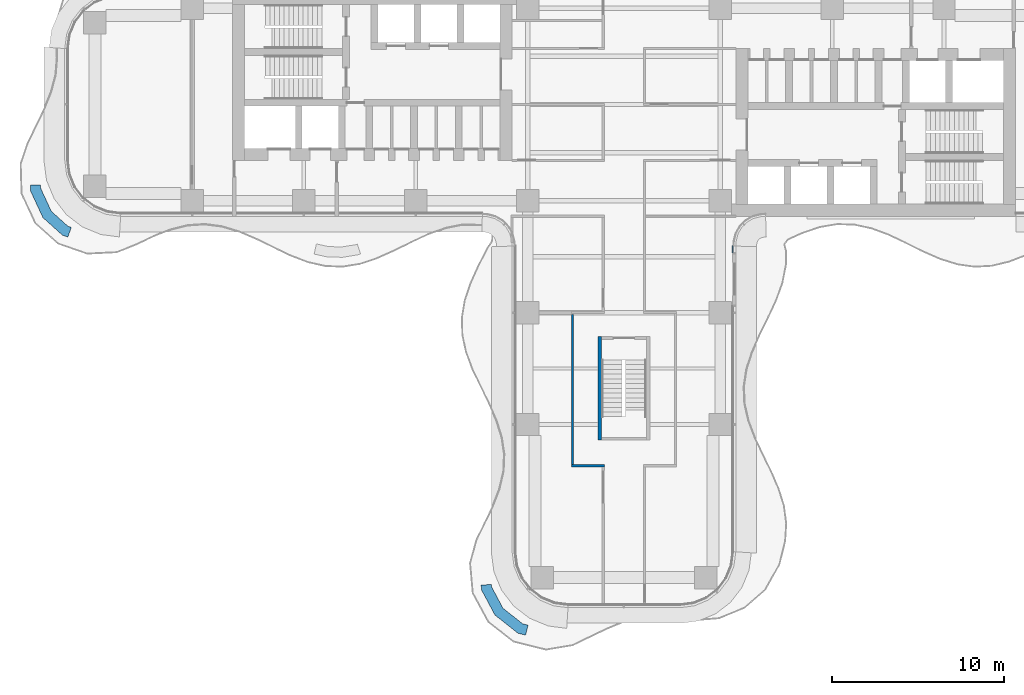
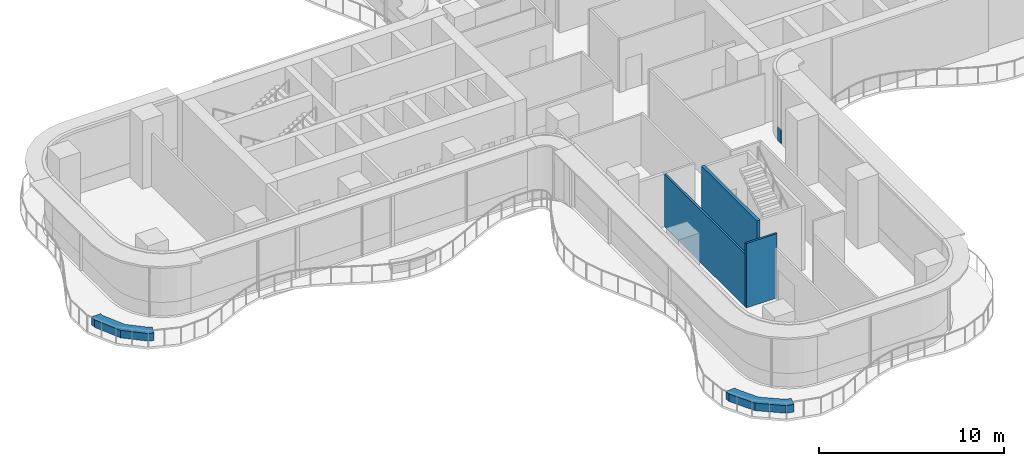
# One storey, part 17 of 23: 5 walls, 1 plate, 1 element without a shape of its own.
"""IFC4 building model written with IfcOpenShell, lengths in metres."""

from ifc_helpers import new_model, si_unit, direction, frame, frame_2d, origin, place, context, subcontext, project, spatial, polyline, rectangle, outline, extrude, source, transform, mapped, material, layer, layer_set, type_object, element, aggregate, save


model = new_model("IFC4")

# Units and contexts
model_context = context("Model", 3, precision=1e-05, world=origin(), true_north=direction((0.0, 1.0)))
body_context = subcontext(model_context, "Body", "Model", "MODEL_VIEW")
ifc_project = project(units=[si_unit("LENGTHUNIT", "METRE"), si_unit("AREAUNIT", "SQUARE_METRE"), si_unit("VOLUMEUNIT", "CUBIC_METRE"), si_unit("PLANEANGLEUNIT", "RADIAN"), si_unit("MASSUNIT", "GRAM", prefix="KILO")], contexts=[model_context])

# Site, building, storey
site_placement = place(None, origin())
site = spatial("IfcSite", under=ifc_project, at=site_placement, CompositionType="ELEMENT")
building_placement = place(site_placement, origin())
building = spatial("IfcBuilding", under=site, at=building_placement, Name="Trellis Farm Tower", CompositionType="ELEMENT")
storey_placement = place(building_placement, frame((0.0, 0.0, 111.0)))
storey = spatial("IfcBuildingStorey", under=building, at=storey_placement, Name="L23", CompositionType="ELEMENT", Elevation=111.0)

# Curtain wall, plate
ifc_material_1 = material(Name="Aluminium and glass curtain wall", Category="aluminium")
ifc_layer_1 = layer(ifc_material_1, 0.18994140625)
ifc_layer_set_1 = layer_set([ifc_layer_1], Name="RIBBON CURTAIN WALL CW1")
curtain_wall_type = type_object("IfcCurtainWallType", Name="RIBBON CURTAIN WALL CW1", PredefinedType="NOTDEFINED", material=ifc_layer_set_1)
placement = place(storey_placement, origin())
curtain_wall = element("IfcCurtainWall", 1, at=placement, inside=storey, type_object=curtain_wall_type, Name="CW1 005", PredefinedType="NOTDEFINED")
ifc_material_2 = material(Name="Sandstone faced insulated panel", Category="masonry")
ifc_layer_2 = layer(ifc_material_2, 0.050048828125)
ifc_layer_set_2 = layer_set([ifc_layer_2], Name="CW1 STONE SPANDREL PANEL 50")
plate_type = type_object("IfcPlateType", Name="CW1 STONE SPANDREL PANEL 50", PredefinedType="CURTAIN_PANEL", material=ifc_layer_set_2)
shared_shape_1 = source(origin(), body_context, "Body", "SweptSolid", [
    extrude(outline(polyline([(6.35009765625, -8.605712890625), (6.35009765625, -8.2265625), (6.300048828125, -8.224853515625), (6.300048828125, -8.605712890625), (6.35009765625, -8.605712890625)])), origin(), (0.0, 0.0, 1.0), 0.89990234375),
])
plate = element("IfcPlate", 2, at=placement, type_object=plate_type, Name="PS1 005", PredefinedType="CURTAIN_PANEL", context=body_context, shape_type="MappedRepresentation", body=[
    mapped(shared_shape_1, transform((0.0, 0.0, 0.0))),
])
aggregate(curtain_wall, [plate])

# Walls
ifc_material_3 = material(Name="Sandstone faced masonry planter", Category="masonry")
ifc_layer_3 = layer(ifc_material_3, 0.60009765625)
ifc_layer_set_3 = layer_set([ifc_layer_3], Name="PLANTER BED 600")
wall_type_1 = type_object("IfcWallType", Name="PLANTER BED 600", PredefinedType="USERDEFINED", material=ifc_layer_set_3)
element("IfcWall", 3, at=placement, inside=storey, type_object=wall_type_1, Name="PLANTER bed", ObjectType="PLANTER", PredefinedType="USERDEFINED", context=body_context, shape_type="SweptSolid", body=[
    extrude(outline(polyline([(-6.1552734375, -30.734375), (-7.49853515625, -29.673583984375), (-8.275146484375, -28.22314453125), (-8.30029296875, -27.940673828125), (-7.70263671875, -27.887451171875), (-7.688232421875, -28.0478515625), (-7.028564453125, -29.2802734375), (-5.885009765625, -30.183349609375), (-5.572265625, -30.26123046875), (-5.717041015625, -30.843505859375), (-6.1552734375, -30.734375)])), origin(), (0.0, 0.0, 1.0), 0.5),
])
element("IfcWall", 4, at=placement, inside=storey, type_object=wall_type_1, Name="PLANTER bed", ObjectType="PLANTER", PredefinedType="USERDEFINED", context=body_context, shape_type="SweptSolid", body=[
    extrude(outline(polyline([(-33.769775390625, -6.576416015625), (-34.490478515625, -5.0234375), (-34.498046875, -4.696044921875), (-33.898193359375, -4.681884765625), (-33.8935546875, -4.88427734375), (-33.277099609375, -6.21240234375), (-32.31982421875, -7.07373046875), (-32.1171875, -7.146240234375), (-32.319580078125, -7.711181640625), (-32.63330078125, -7.5986328125), (-33.769775390625, -6.576416015625)])), origin(), (0.0, 0.0, 1.0), 0.5),
])
ifc_material_4 = material(Name="Concrete C70/85", Category="concrete")
ifc_layer_4 = layer(ifc_material_4, 0.199951171875)
ifc_layer_set_4 = layer_set([ifc_layer_4], Name="CORE STAIR ENCLOSURE WALL 200 CONCRETE C70/85")
wall_type_2 = type_object("IfcWallType", Name="CORE STAIR ENCLOSURE WALL 200 CONCRETE C70/85", PredefinedType="SHEAR", material=ifc_layer_set_4)
shared_shape_2 = source(origin(), body_context, "Body", "SweptSolid", [
    extrude(rectangle(XDim=6.0, YDim=0.199951171875, at=frame_2d((3.0, 0.0))), origin(), (0.0, 0.0, 1.0), 4.25),
])
wall_3_placement = place(storey_placement, frame((-1.39990234375, -13.5, 0.0), z_axis=(0.0, 0.0, 1.0), x_axis=(0.0, -1.0, 0.0)))
element("IfcWall", 5, at=wall_3_placement, inside=storey, type_object=wall_type_2, Name="Stair enclosure wall", PredefinedType="SHEAR", context=body_context, shape_type="MappedRepresentation", body=[
    mapped(shared_shape_2, transform((0.0, 0.0, 0.0))),
])
ifc_material_5 = material(Name="Plasterboard on steel studs, mineral wool", Category="steel")
ifc_layer_5 = layer(ifc_material_5, 0.125)
ifc_layer_set_5 = layer_set([ifc_layer_5], Name="PARTITION 125 STUD EI 60")
wall_type_3 = type_object("IfcWallType", Name="PARTITION 125 STUD EI 60", PredefinedType="PARTITIONING", material=ifc_layer_set_5)
shared_shape_3 = source(origin(), body_context, "Body", "SweptSolid", [
    extrude(rectangle(XDim=8.737548828125, YDim=0.125, at=frame_2d((4.36865234375, 0.0))), origin(), (0.0, 0.0, 1.0), 3.4677734375),
])
wall_4_placement = place(storey_placement, frame((-3.0, -20.9375, 0.0), z_axis=(0.0, 0.0, 1.0), x_axis=(0.0, 1.0, 0.0)))
element("IfcWall", 6, at=wall_4_placement, inside=storey, type_object=wall_type_3, Name="Partition PW1", PredefinedType="PARTITIONING", context=body_context, shape_type="MappedRepresentation", body=[
    mapped(shared_shape_3, transform((0.0, 0.0, 0.0))),
])
shared_shape_4 = source(origin(), body_context, "Body", "SweptSolid", [
    extrude(rectangle(XDim=1.925048828125, YDim=0.125, at=frame_2d((0.96240234375, 0.0))), origin(), (0.0, 0.0, 1.0), 4.25),
])
wall_5_placement = place(storey_placement, frame((-1.137451171875, -21.0, 0.0), z_axis=(0.0, 0.0, 1.0), x_axis=(-1.0, 0.0, 0.0)))
element("IfcWall", 7, at=wall_5_placement, inside=storey, type_object=wall_type_3, Name="Partition PW1", PredefinedType="PARTITIONING", context=body_context, shape_type="MappedRepresentation", body=[
    mapped(shared_shape_4, transform((0.0, 0.0, 0.0))),
])

save(model, "model.ifc")
